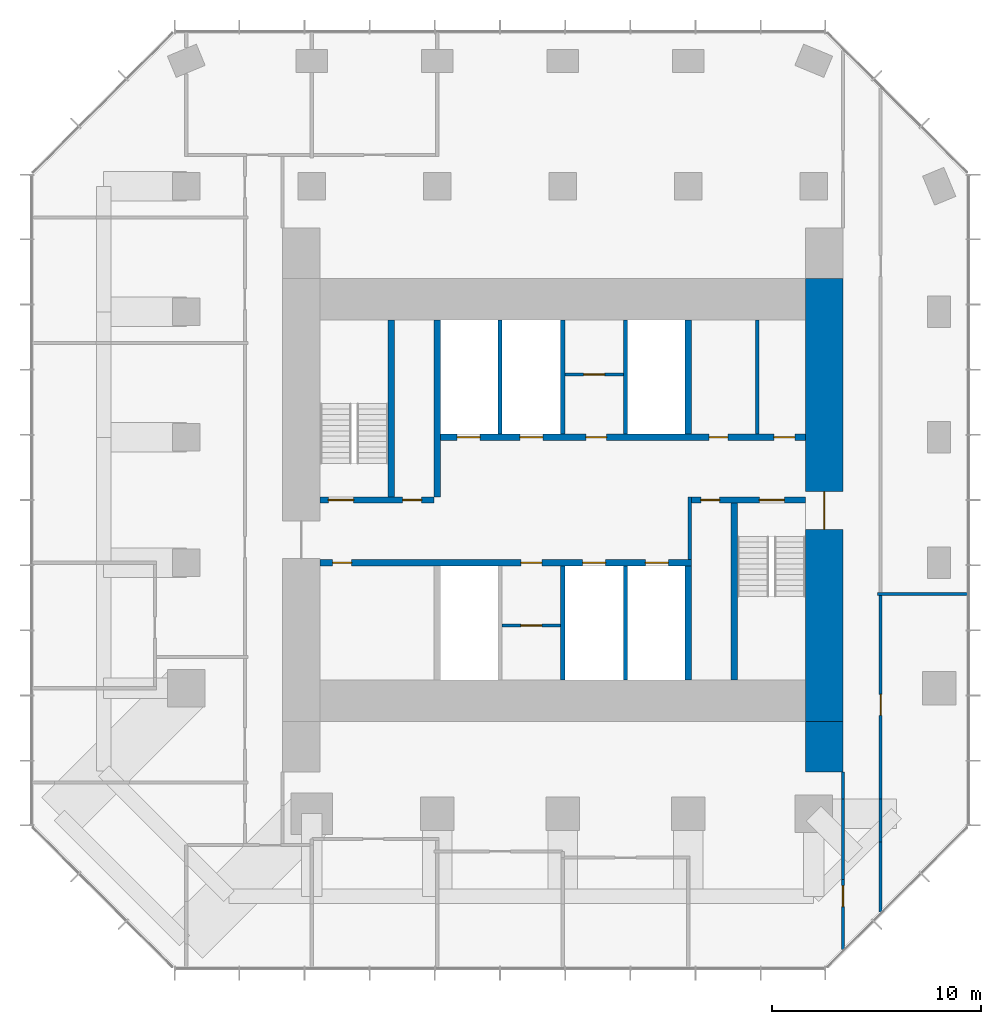
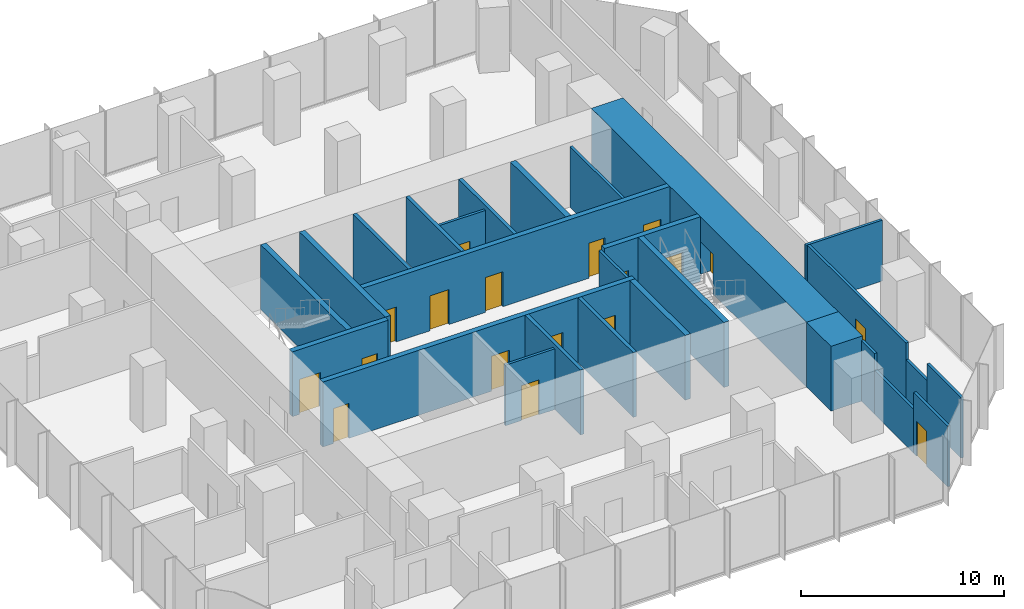
# One storey, part 9 of 11: 27 walls, 18 doors, 18 openings.
"""IFC4 building model written with IfcOpenShell, lengths in metres."""

from ifc_helpers import new_model, si_unit, direction, frame, frame_2d, origin, place, context, subcontext, project, spatial, rectangle, extrude, material, layer, layer_set, type_object, element, fill, save


model = new_model("IFC4")

# Units and contexts
model_context = context("Model", 3, precision=1e-05, world=origin(), true_north=direction((0.0, 1.0)))
body_context = subcontext(model_context, "Body", "Model", "MODEL_VIEW")
ifc_project = project(units=[si_unit("LENGTHUNIT", "METRE"), si_unit("AREAUNIT", "SQUARE_METRE"), si_unit("VOLUMEUNIT", "CUBIC_METRE"), si_unit("PLANEANGLEUNIT", "RADIAN"), si_unit("MASSUNIT", "GRAM", prefix="KILO")], contexts=[model_context])

# Site, building, storey
site_placement = place(None, origin())
site = spatial("IfcSite", under=ifc_project, at=site_placement, CompositionType="ELEMENT")
building_placement = place(site_placement, origin())
building = spatial("IfcBuilding", under=site, at=building_placement, Name="Highveld Stack Headquarters", CompositionType="ELEMENT")
storey_placement = place(building_placement, frame((0.0, 0.0, 224.0)))
storey = spatial("IfcBuildingStorey", under=building, at=storey_placement, Name="L55", CompositionType="ELEMENT", Elevation=224.0)

# Wall, opening, door
ifc_material_1 = material(Name="Concrete C60/75", Category="concrete")
ifc_layer_1 = layer(ifc_material_1, 1.800048828125)
ifc_layer_set_1 = layer_set([ifc_layer_1], Name="Concrete C60/75")
wall_type_1 = type_object("IfcWallType", Name="CORE WALL 1800 C60/75", PredefinedType="SHEAR", material=ifc_layer_set_1)
wall_1_placement = place(storey_placement, frame((18.5, -7.60009765625, 0.0), z_axis=(0.0, 0.0, 1.0), x_axis=(0.0, 1.0, 0.0)))
wall_1 = element("IfcWall", 1, at=wall_1_placement, inside=storey, type_object=wall_type_1, Name="Core wall E L55", PredefinedType="SHEAR", context=body_context, shape_type="SweptSolid", body=[
    extrude(rectangle(XDim=21.2001953125, YDim=1.800048828125, at=frame_2d((10.60009765625, 0.0))), origin(), (0.0, 0.0, 1.0), 3.89990234375),
])
opening_1_placement = place(wall_1_placement, frame((9.199951171875, 0.0, 0.0)))
opening_1 = element("IfcOpeningElement", 2, at=opening_1_placement, cuts=wall_1, Name="Opening L55-02", PredefinedType="OPENING", context=body_context, shape_type="SweptSolid", body=[
    extrude(rectangle(XDim=1.800048828125, YDim=2.39990234375, at=frame_2d((0.89990234375, 1.199951171875))), frame((0.0, 0.909912109375, 0.0), z_axis=(0.0, -1.0, 0.0), x_axis=(1.0, 0.0, 0.0)), (0.0, 0.0, 1.0), 1.820068359375),
])
ifc_material_2 = material(Name="Steel fire door", Category="steel")
door_type_1 = type_object("IfcDoorType", Name="LOBBY FIRE DOOR D4 1800x2400", OperationType="DOUBLE_DOOR_SINGLE_SWING", PredefinedType="DOOR", material=ifc_material_2)
door_1_placement = place(opening_1_placement, origin())
door_1 = element("IfcDoor", 3, at=door_1_placement, inside=storey, type_object=door_type_1, Name="Core east door L55", OperationType="DOUBLE_DOOR_SINGLE_SWING", OverallHeight=2.39990234375, OverallWidth=1.800048828125, PredefinedType="DOOR", context=body_context, shape_type="SweptSolid", body=[
    extrude(rectangle(XDim=1.800048828125, YDim=2.39990234375, at=frame_2d((0.89990234375, 1.199951171875))), frame((0.0, 0.02490234375, 0.0), z_axis=(0.0, -1.0, 0.0), x_axis=(1.0, 0.0, 0.0)), (0.0, 0.0, 1.0), 0.050048828125),
])
fill(opening_1, door_1)

# Wall, openings, doors
ifc_material_3 = material(Name="Concrete C60/75", Category="concrete")
ifc_layer_2 = layer(ifc_material_3, 0.300048828125)
ifc_layer_set_2 = layer_set([ifc_layer_2], Name="Concrete C60/75")
wall_type_2 = type_object("IfcWallType", Name="CORE WALL 300 C60/75", PredefinedType="SHEAR", material=ifc_layer_set_2)
wall_2_placement = place(storey_placement, frame((-5.60009765625, 0.0, 0.0), z_axis=(0.0, 0.0, 1.0), x_axis=(1.0, 0.0, 0.0)))
wall_2 = element("IfcWall", 4, at=wall_2_placement, inside=storey, type_object=wall_type_2, Name="Core wall I-Y0 L55", PredefinedType="SHEAR", context=body_context, shape_type="SweptSolid", body=[
    extrude(rectangle(XDim=17.75, YDim=0.300048828125, at=frame_2d((8.875, 0.0))), origin(), (0.0, 0.0, 1.0), 3.89990234375),
])
opening_2_placement = place(wall_2_placement, frame((0.60009765625, 0.0, 0.0)))
opening_2 = element("IfcOpeningElement", 5, at=opening_2_placement, cuts=wall_2, Name="Opening L55-07", PredefinedType="OPENING", context=body_context, shape_type="SweptSolid", body=[
    extrude(rectangle(XDim=0.89990234375, YDim=2.10009765625, at=frame_2d((0.449951171875, 1.050048828125))), frame((0.0, 0.159912109375, 0.0), z_axis=(0.0, -1.0, 0.0), x_axis=(1.0, 0.0, 0.0)), (0.0, 0.0, 1.0), 0.320068359375),
])
opening_3_placement = place(wall_2_placement, frame((9.60009765625, 0.0, 0.0)))
opening_3 = element("IfcOpeningElement", 6, at=opening_3_placement, cuts=wall_2, Name="Opening L55-13", PredefinedType="OPENING", context=body_context, shape_type="SweptSolid", body=[
    extrude(rectangle(XDim=1.0, YDim=2.10009765625, at=frame_2d((0.5, 1.050048828125))), frame((0.0, 0.159912109375, 0.0), z_axis=(0.0, -1.0, 0.0), x_axis=(1.0, 0.0, 0.0)), (0.0, 0.0, 1.0), 0.320068359375),
])
opening_4_placement = place(wall_2_placement, frame((12.550048828125, 0.0, 0.0)))
opening_4 = element("IfcOpeningElement", 7, at=opening_4_placement, cuts=wall_2, Name="Opening LD", PredefinedType="OPENING", context=body_context, shape_type="SweptSolid", body=[
    extrude(rectangle(XDim=1.10009765625, YDim=2.10009765625, at=frame_2d((0.550048828125, 1.050048828125))), frame((0.0, 0.159912109375, 0.0), z_axis=(0.0, -1.0, 0.0), x_axis=(1.0, 0.0, 0.0)), (0.0, 0.0, 1.0), 0.320068359375),
])
opening_5_placement = place(wall_2_placement, frame((15.550048828125, 0.0, 0.0)))
opening_5 = element("IfcOpeningElement", 8, at=opening_5_placement, cuts=wall_2, Name="Opening LD", PredefinedType="OPENING", context=body_context, shape_type="SweptSolid", body=[
    extrude(rectangle(XDim=1.10009765625, YDim=2.10009765625, at=frame_2d((0.550048828125, 1.050048828125))), frame((0.0, 0.159912109375, 0.0), z_axis=(0.0, -1.0, 0.0), x_axis=(1.0, 0.0, 0.0)), (0.0, 0.0, 1.0), 0.320068359375),
])
ifc_material_4 = material(Name="Steel fire door", Category="steel")
door_type_2 = type_object("IfcDoorType", Name="CORE ROOM FIRE DOOR D14 1000x2100", OperationType="SINGLE_SWING_LEFT", PredefinedType="DOOR", material=ifc_material_4)
door_2_placement = place(opening_3_placement, origin())
door_2 = element("IfcDoor", 9, at=door_2_placement, inside=storey, type_object=door_type_2, Name="Capped B 1 door L55", OperationType="SINGLE_SWING_RIGHT", OverallHeight=2.10009765625, OverallWidth=1.0, PredefinedType="DOOR", context=body_context, shape_type="SweptSolid", body=[
    extrude(rectangle(XDim=1.0, YDim=2.10009765625, at=frame_2d((0.5, 1.050048828125))), frame((0.0, 0.02490234375, 0.0), z_axis=(0.0, -1.0, 0.0), x_axis=(1.0, 0.0, 0.0)), (0.0, 0.0, 1.0), 0.050048828125),
])
fill(opening_3, door_2)
ifc_material_5 = material(Name="Stainless steel lift landing door", Category="steel")
door_type_3 = type_object("IfcDoorType", Name="LIFT LANDING DOOR LD 1100x2100", OperationType="DOUBLE_DOOR_SLIDING", PredefinedType="USERDEFINED", material=ifc_material_5)
door_3_placement = place(opening_4_placement, origin())
door_3 = element("IfcDoor", 10, at=door_3_placement, inside=storey, type_object=door_type_3, Name="Lift landing door C1 L55", ObjectType="LIFT LANDING DOOR", OperationType="DOUBLE_DOOR_SLIDING", OverallHeight=2.10009765625, OverallWidth=1.10009765625, PredefinedType="USERDEFINED", context=body_context, shape_type="SweptSolid", body=[
    extrude(rectangle(XDim=1.10009765625, YDim=2.10009765625, at=frame_2d((0.550048828125, 1.050048828125))), frame((0.0, 0.02490234375, 0.0), z_axis=(0.0, -1.0, 0.0), x_axis=(1.0, 0.0, 0.0)), (0.0, 0.0, 1.0), 0.050048828125),
])
fill(opening_4, door_3)
door_4_placement = place(opening_5_placement, origin())
door_4 = element("IfcDoor", 11, at=door_4_placement, inside=storey, type_object=door_type_3, Name="Lift landing door C2 L55", ObjectType="LIFT LANDING DOOR", OperationType="DOUBLE_DOOR_SLIDING", OverallHeight=2.10009765625, OverallWidth=1.10009765625, PredefinedType="USERDEFINED", context=body_context, shape_type="SweptSolid", body=[
    extrude(rectangle(XDim=1.10009765625, YDim=2.10009765625, at=frame_2d((0.550048828125, 1.050048828125))), frame((0.0, 0.02490234375, 0.0), z_axis=(0.0, -1.0, 0.0), x_axis=(1.0, 0.0, 0.0)), (0.0, 0.0, 1.0), 0.050048828125),
])
fill(opening_5, door_4)
ifc_material_6 = material(Name="Timber door, painted", Category="wood")
door_type_4 = type_object("IfcDoorType", Name="WC DOOR D1 900x2100", OperationType="SINGLE_SWING_LEFT", PredefinedType="DOOR", material=ifc_material_6)
door_5_placement = place(opening_2_placement, origin())
door_5 = element("IfcDoor", 12, at=door_5_placement, inside=storey, type_object=door_type_4, Name="Female WC door L55", OperationType="SINGLE_SWING_LEFT", OverallHeight=2.10009765625, OverallWidth=0.89990234375, PredefinedType="DOOR", context=body_context, shape_type="SweptSolid", body=[
    extrude(rectangle(XDim=0.89990234375, YDim=2.10009765625, at=frame_2d((0.449951171875, 1.050048828125))), frame((0.0, 0.02490234375, 0.0), z_axis=(0.0, -1.0, 0.0), x_axis=(1.0, 0.0, 0.0)), (0.0, 0.0, 1.0), 0.050048828125),
])
fill(opening_2, door_5)

wall_3_placement = place(storey_placement, frame((-5.60009765625, 3.0, 0.0), z_axis=(0.0, 0.0, 1.0), x_axis=(1.0, 0.0, 0.0)))
wall_3 = element("IfcWall", 13, at=wall_3_placement, inside=storey, type_object=wall_type_2, Name="Core wall I-Y3W L55", PredefinedType="SHEAR", context=body_context, shape_type="SweptSolid", body=[
    extrude(rectangle(XDim=5.4501953125, YDim=0.300048828125, at=frame_2d((2.72509765625, 0.0))), origin(), (0.0, 0.0, 1.0), 3.89990234375),
])
opening_6_placement = place(wall_3_placement, frame((0.39990234375, 0.0, 0.0)))
opening_6 = element("IfcOpeningElement", 14, at=opening_6_placement, cuts=wall_3, Name="Opening L55-03", PredefinedType="OPENING", context=body_context, shape_type="SweptSolid", body=[
    extrude(rectangle(XDim=1.199951171875, YDim=2.10009765625, at=frame_2d((0.60009765625, 1.050048828125))), frame((0.0, 0.159912109375, 0.0), z_axis=(0.0, -1.0, 0.0), x_axis=(1.0, 0.0, 0.0)), (0.0, 0.0, 1.0), 0.320068359375),
])
opening_7_placement = place(wall_3_placement, frame((3.949951171875, 0.0, 0.0)))
opening_7 = element("IfcOpeningElement", 15, at=opening_7_placement, cuts=wall_3, Name="Opening L55-04", PredefinedType="OPENING", context=body_context, shape_type="SweptSolid", body=[
    extrude(rectangle(XDim=0.89990234375, YDim=2.10009765625, at=frame_2d((0.449951171875, 1.050048828125))), frame((0.0, 0.159912109375, 0.0), z_axis=(0.0, -1.0, 0.0), x_axis=(1.0, 0.0, 0.0)), (0.0, 0.0, 1.0), 0.320068359375),
])
ifc_material_7 = material(Name="Steel fire door", Category="steel")
door_type_5 = type_object("IfcDoorType", Name="RISER ACCESS DOOR D5 900x2100", OperationType="SINGLE_SWING_LEFT", PredefinedType="DOOR", material=ifc_material_7)
door_6_placement = place(opening_7_placement, origin())
door_6 = element("IfcDoor", 16, at=door_6_placement, inside=storey, type_object=door_type_5, Name="Riser R1 door L55", OperationType="SINGLE_SWING_RIGHT", OverallHeight=2.10009765625, OverallWidth=0.89990234375, PredefinedType="DOOR", context=body_context, shape_type="SweptSolid", body=[
    extrude(rectangle(XDim=0.89990234375, YDim=2.10009765625, at=frame_2d((0.449951171875, 1.050048828125))), frame((0.0, 0.02490234375, 0.0), z_axis=(0.0, -1.0, 0.0), x_axis=(1.0, 0.0, 0.0)), (0.0, 0.0, 1.0), 0.050048828125),
])
fill(opening_7, door_6)
ifc_material_8 = material(Name="Steel fire door", Category="steel")
door_type_6 = type_object("IfcDoorType", Name="STAIR FIRE DOOR D3 1200x2100", OperationType="SINGLE_SWING_LEFT", PredefinedType="DOOR", material=ifc_material_8)
door_7_placement = place(opening_6_placement, origin())
door_7 = element("IfcDoor", 17, at=door_7_placement, inside=storey, type_object=door_type_6, Name="Stair S1 door L55", OperationType="SINGLE_SWING_LEFT", OverallHeight=2.10009765625, OverallWidth=1.199951171875, PredefinedType="DOOR", context=body_context, shape_type="SweptSolid", body=[
    extrude(rectangle(XDim=1.199951171875, YDim=2.10009765625, at=frame_2d((0.60009765625, 1.050048828125))), frame((0.0, 0.02490234375, 0.0), z_axis=(0.0, -1.0, 0.0), x_axis=(1.0, 0.0, 0.0)), (0.0, 0.0, 1.0), 0.050048828125),
])
fill(opening_6, door_7)

wall_4_placement = place(storey_placement, frame((12.14990234375, 3.0, 0.0), z_axis=(0.0, 0.0, 1.0), x_axis=(1.0, 0.0, 0.0)))
wall_4 = element("IfcWall", 18, at=wall_4_placement, inside=storey, type_object=wall_type_2, Name="Core wall I-Y3E L55", PredefinedType="SHEAR", context=body_context, shape_type="SweptSolid", body=[
    extrude(rectangle(XDim=5.4501953125, YDim=0.300048828125, at=frame_2d((2.72509765625, 0.0))), origin(), (0.0, 0.0, 1.0), 3.89990234375),
])
opening_8_placement = place(wall_4_placement, frame((3.25, 0.0, 0.0)))
opening_8 = element("IfcOpeningElement", 19, at=opening_8_placement, cuts=wall_4, Name="Opening L55-05", PredefinedType="OPENING", context=body_context, shape_type="SweptSolid", body=[
    extrude(rectangle(XDim=1.199951171875, YDim=2.10009765625, at=frame_2d((0.60009765625, 1.050048828125))), frame((0.0, 0.159912109375, 0.0), z_axis=(0.0, -1.0, 0.0), x_axis=(1.0, 0.0, 0.0)), (0.0, 0.0, 1.0), 0.320068359375),
])
opening_9_placement = place(wall_4_placement, frame((0.449951171875, 0.0, 0.0)))
opening_9 = element("IfcOpeningElement", 20, at=opening_9_placement, cuts=wall_4, Name="Opening L55-06", PredefinedType="OPENING", context=body_context, shape_type="SweptSolid", body=[
    extrude(rectangle(XDim=0.89990234375, YDim=2.10009765625, at=frame_2d((0.449951171875, 1.050048828125))), frame((0.0, 0.159912109375, 0.0), z_axis=(0.0, -1.0, 0.0), x_axis=(1.0, 0.0, 0.0)), (0.0, 0.0, 1.0), 0.320068359375),
])
door_8_placement = place(opening_9_placement, origin())
door_8 = element("IfcDoor", 21, at=door_8_placement, inside=storey, type_object=door_type_5, Name="Riser R2 door L55", OperationType="SINGLE_SWING_LEFT", OverallHeight=2.10009765625, OverallWidth=0.89990234375, PredefinedType="DOOR", context=body_context, shape_type="SweptSolid", body=[
    extrude(rectangle(XDim=0.89990234375, YDim=2.10009765625, at=frame_2d((0.449951171875, 1.050048828125))), frame((0.0, 0.02490234375, 0.0), z_axis=(0.0, -1.0, 0.0), x_axis=(1.0, 0.0, 0.0)), (0.0, 0.0, 1.0), 0.050048828125),
])
fill(opening_9, door_8)
door_9_placement = place(opening_8_placement, origin())
door_9 = element("IfcDoor", 22, at=door_9_placement, inside=storey, type_object=door_type_6, Name="Stair S2 door L55", OperationType="SINGLE_SWING_RIGHT", OverallHeight=2.10009765625, OverallWidth=1.199951171875, PredefinedType="DOOR", context=body_context, shape_type="SweptSolid", body=[
    extrude(rectangle(XDim=1.199951171875, YDim=2.10009765625, at=frame_2d((0.60009765625, 1.050048828125))), frame((0.0, 0.02490234375, 0.0), z_axis=(0.0, -1.0, 0.0), x_axis=(1.0, 0.0, 0.0)), (0.0, 0.0, 1.0), 0.050048828125),
])
fill(opening_8, door_9)

wall_5_placement = place(storey_placement, frame((-0.14990234375, 6.0, 0.0), z_axis=(0.0, 0.0, 1.0), x_axis=(1.0, 0.0, 0.0)))
wall_5 = element("IfcWall", 23, at=wall_5_placement, inside=storey, type_object=wall_type_2, Name="Core wall I-Y6 L55", PredefinedType="SHEAR", context=body_context, shape_type="SweptSolid", body=[
    extrude(rectangle(XDim=17.75, YDim=0.300048828125, at=frame_2d((8.875, 0.0))), origin(), (0.0, 0.0, 1.0), 3.89990234375),
])
opening_10_placement = place(wall_5_placement, frame((13.14990234375, 0.0, 0.0)))
opening_10 = element("IfcOpeningElement", 24, at=opening_10_placement, cuts=wall_5, Name="Opening L55-08", PredefinedType="OPENING", context=body_context, shape_type="SweptSolid", body=[
    extrude(rectangle(XDim=0.89990234375, YDim=2.10009765625, at=frame_2d((0.449951171875, 1.050048828125))), frame((0.0, 0.159912109375, 0.0), z_axis=(0.0, -1.0, 0.0), x_axis=(1.0, 0.0, 0.0)), (0.0, 0.0, 1.0), 0.320068359375),
])
opening_11_placement = place(wall_5_placement, frame((16.25, 0.0, 0.0)))
opening_11 = element("IfcOpeningElement", 25, at=opening_11_placement, cuts=wall_5, Name="Opening L55-09", PredefinedType="OPENING", context=body_context, shape_type="SweptSolid", body=[
    extrude(rectangle(XDim=1.0, YDim=2.10009765625, at=frame_2d((0.5, 1.050048828125))), frame((0.0, 0.159912109375, 0.0), z_axis=(0.0, -1.0, 0.0), x_axis=(1.0, 0.0, 0.0)), (0.0, 0.0, 1.0), 0.320068359375),
])
opening_12_placement = place(wall_5_placement, frame((7.25, 0.0, 0.0)))
opening_12 = element("IfcOpeningElement", 26, at=opening_12_placement, cuts=wall_5, Name="Opening L55-11", PredefinedType="OPENING", context=body_context, shape_type="SweptSolid", body=[
    extrude(rectangle(XDim=1.0, YDim=2.10009765625, at=frame_2d((0.5, 1.050048828125))), frame((0.0, 0.159912109375, 0.0), z_axis=(0.0, -1.0, 0.0), x_axis=(1.0, 0.0, 0.0)), (0.0, 0.0, 1.0), 0.320068359375),
])
opening_13_placement = place(wall_5_placement, frame((1.10009765625, 0.0, 0.0)))
opening_13 = element("IfcOpeningElement", 27, at=opening_13_placement, cuts=wall_5, Name="Opening LD", PredefinedType="OPENING", context=body_context, shape_type="SweptSolid", body=[
    extrude(rectangle(XDim=1.10009765625, YDim=2.10009765625, at=frame_2d((0.550048828125, 1.050048828125))), frame((0.0, 0.159912109375, 0.0), z_axis=(0.0, -1.0, 0.0), x_axis=(1.0, 0.0, 0.0)), (0.0, 0.0, 1.0), 0.320068359375),
])
opening_14_placement = place(wall_5_placement, frame((4.10009765625, 0.0, 0.0)))
opening_14 = element("IfcOpeningElement", 28, at=opening_14_placement, cuts=wall_5, Name="Opening LD", PredefinedType="OPENING", context=body_context, shape_type="SweptSolid", body=[
    extrude(rectangle(XDim=1.10009765625, YDim=2.10009765625, at=frame_2d((0.550048828125, 1.050048828125))), frame((0.0, 0.159912109375, 0.0), z_axis=(0.0, -1.0, 0.0), x_axis=(1.0, 0.0, 0.0)), (0.0, 0.0, 1.0), 0.320068359375),
])
ifc_material_9 = material(Name="Timber door, painted", Category="wood")
door_type_7 = type_object("IfcDoorType", Name="ACCESSIBLE WC DOOR D2 1000x2100", OperationType="SINGLE_SWING_RIGHT", PredefinedType="DOOR", material=ifc_material_9)
door_10_placement = place(opening_11_placement, origin())
door_10 = element("IfcDoor", 29, at=door_10_placement, inside=storey, type_object=door_type_7, Name="Accessible WC door L55", OperationType="SINGLE_SWING_RIGHT", OverallHeight=2.10009765625, OverallWidth=1.0, PredefinedType="DOOR", context=body_context, shape_type="SweptSolid", body=[
    extrude(rectangle(XDim=1.0, YDim=2.10009765625, at=frame_2d((0.5, 1.050048828125))), frame((0.0, 0.02490234375, 0.0), z_axis=(0.0, -1.0, 0.0), x_axis=(1.0, 0.0, 0.0)), (0.0, 0.0, 1.0), 0.050048828125),
])
fill(opening_11, door_10)
door_11_placement = place(opening_12_placement, origin())
door_11 = element("IfcDoor", 30, at=door_11_placement, inside=storey, type_object=door_type_2, Name="Capped A 1 door L55", OperationType="SINGLE_SWING_LEFT", OverallHeight=2.10009765625, OverallWidth=1.0, PredefinedType="DOOR", context=body_context, shape_type="SweptSolid", body=[
    extrude(rectangle(XDim=1.0, YDim=2.10009765625, at=frame_2d((0.5, 1.050048828125))), frame((0.0, 0.02490234375, 0.0), z_axis=(0.0, -1.0, 0.0), x_axis=(1.0, 0.0, 0.0)), (0.0, 0.0, 1.0), 0.050048828125),
])
fill(opening_12, door_11)
door_12_placement = place(opening_13_placement, origin())
door_12 = element("IfcDoor", 31, at=door_12_placement, inside=storey, type_object=door_type_3, Name="Lift landing door FF1 L55", ObjectType="LIFT LANDING DOOR", OperationType="DOUBLE_DOOR_SLIDING", OverallHeight=2.10009765625, OverallWidth=1.10009765625, PredefinedType="USERDEFINED", context=body_context, shape_type="SweptSolid", body=[
    extrude(rectangle(XDim=1.10009765625, YDim=2.10009765625, at=frame_2d((0.550048828125, 1.050048828125))), frame((0.0, 0.02490234375, 0.0), z_axis=(0.0, -1.0, 0.0), x_axis=(1.0, 0.0, 0.0)), (0.0, 0.0, 1.0), 0.050048828125),
])
fill(opening_13, door_12)
door_13_placement = place(opening_14_placement, origin())
door_13 = element("IfcDoor", 32, at=door_13_placement, inside=storey, type_object=door_type_3, Name="Lift landing door FF2 L55", ObjectType="LIFT LANDING DOOR", OperationType="DOUBLE_DOOR_SLIDING", OverallHeight=2.10009765625, OverallWidth=1.10009765625, PredefinedType="USERDEFINED", context=body_context, shape_type="SweptSolid", body=[
    extrude(rectangle(XDim=1.10009765625, YDim=2.10009765625, at=frame_2d((0.550048828125, 1.050048828125))), frame((0.0, 0.02490234375, 0.0), z_axis=(0.0, -1.0, 0.0), x_axis=(1.0, 0.0, 0.0)), (0.0, 0.0, 1.0), 0.050048828125),
])
fill(opening_14, door_13)
door_14_placement = place(opening_10_placement, origin())
door_14 = element("IfcDoor", 33, at=door_14_placement, inside=storey, type_object=door_type_4, Name="Male WC door L55", OperationType="SINGLE_SWING_RIGHT", OverallHeight=2.10009765625, OverallWidth=0.89990234375, PredefinedType="DOOR", context=body_context, shape_type="SweptSolid", body=[
    extrude(rectangle(XDim=0.89990234375, YDim=2.10009765625, at=frame_2d((0.449951171875, 1.050048828125))), frame((0.0, 0.02490234375, 0.0), z_axis=(0.0, -1.0, 0.0), x_axis=(1.0, 0.0, 0.0)), (0.0, 0.0, 1.0), 0.050048828125),
])
fill(opening_10, door_14)

# Walls
wall_6_placement = place(storey_placement, frame((0.0, 3.14990234375, 0.0), z_axis=(0.0, 0.0, 1.0), x_axis=(0.0, 1.0, 0.0)))
element("IfcWall", 34, at=wall_6_placement, inside=storey, type_object=wall_type_2, Name="Core wall I-X0N L55", PredefinedType="SHEAR", context=body_context, shape_type="SweptSolid", body=[
    extrude(rectangle(XDim=8.4501953125, YDim=0.300048828125, at=frame_2d((4.22509765625, 0.0))), origin(), (0.0, 0.0, 1.0), 3.89990234375),
])
for number, where, z_axis, x_axis, name in (
    (35, (12.0, -5.60009765625, 0.0), (0.0, 0.0, 1.0), (0.0, 1.0, 0.0), "Core wall I-X12S L55"),
    (36, (12.0, 6.14990234375, 0.0), (0.0, 0.0, 1.0), (0.0, 1.0, 0.0), "Core wall I-X12N L55"),
):
    element("IfcWall", number, at=place(storey_placement, frame(where, z_axis=z_axis, x_axis=x_axis)), inside=storey, type_object=wall_type_2, Name=name, PredefinedType="SHEAR", context=body_context, shape_type="SweptSolid", body=[
        extrude(rectangle(XDim=5.4501953125, YDim=0.300048828125, at=frame_2d((2.72509765625, 0.0))), origin(), (0.0, 0.0, 1.0), 3.89990234375),
    ])
for number, where, z_axis, x_axis, name in (
    (37, (-2.199951171875, 3.14990234375, 0.0), (0.0, 0.0, 1.0), (0.0, 1.0, 0.0), "Core wall I-RW L55"),
    (38, (14.199951171875, -5.60009765625, 0.0), (0.0, 0.0, 1.0), (0.0, 1.0, 0.0), "Core wall I-RE L55"),
):
    element("IfcWall", number, at=place(storey_placement, frame(where, z_axis=z_axis, x_axis=x_axis)), inside=storey, type_object=wall_type_2, Name=name, PredefinedType="SHEAR", context=body_context, shape_type="SweptSolid", body=[
        extrude(rectangle(XDim=8.4501953125, YDim=0.300048828125, at=frame_2d((4.22509765625, 0.0))), origin(), (0.0, 0.0, 1.0), 3.89990234375),
    ])
ifc_material_10 = material(Name="Concrete C60/75", Category="concrete")
ifc_layer_3 = layer(ifc_material_10, 1.800048828125)
ifc_layer_set_3 = layer_set([ifc_layer_3], Name="Concrete C60/75")
wall_type_3 = type_object("IfcWallType", Name="CORE WING WALL 1800 C60/75", PredefinedType="SHEAR", material=ifc_layer_set_3)
wall_7_placement = place(storey_placement, frame((18.5, -10.0, 0.0), z_axis=(0.0, 0.0, 1.0), x_axis=(0.0, 1.0, 0.0)))
element("IfcWall", 39, at=wall_7_placement, inside=storey, type_object=wall_type_3, Name="Core wing wall ES L55", PredefinedType="SHEAR", context=body_context, shape_type="SweptSolid", body=[
    extrude(rectangle(XDim=2.39990234375, YDim=1.800048828125, at=frame_2d((1.199951171875, 0.0))), origin(), (0.0, 0.0, 1.0), 3.89990234375),
])

# Wall, opening, door
ifc_material_11 = material(Name="Concrete blockwork, plastered", Category="masonry")
ifc_layer_4 = layer(ifc_material_11, 0.14990234375)
ifc_layer_set_4 = layer_set([ifc_layer_4], Name="Concrete blockwork, plastered")
wall_type_4 = type_object("IfcWallType", Name="FIRE PARTITION 150 BLOCKWORK", PredefinedType="PARTITIONING", material=ifc_layer_set_4)
wall_8_placement = place(storey_placement, frame((6.10009765625, 9.0, 0.0), z_axis=(0.0, 0.0, 1.0), x_axis=(1.0, 0.0, 0.0)))
wall_8 = element("IfcWall", 40, at=wall_8_placement, inside=storey, type_object=wall_type_4, Name="Core room partition L55", PredefinedType="PARTITIONING", context=body_context, shape_type="SweptSolid", body=[
    extrude(rectangle(XDim=2.7998046875, YDim=0.14990234375, at=frame_2d((1.39990234375, 0.0))), origin(), (0.0, 0.0, 1.0), 3.64990234375),
])
opening_15_placement = place(wall_8_placement, frame((0.89990234375, 0.0, 0.0)))
opening_15 = element("IfcOpeningElement", 41, at=opening_15_placement, cuts=wall_8, Name="Opening L55-10", PredefinedType="OPENING", context=body_context, shape_type="SweptSolid", body=[
    extrude(rectangle(XDim=1.0, YDim=2.10009765625, at=frame_2d((0.5, 1.050048828125))), frame((0.0, 0.0849609375, 0.0), z_axis=(0.0, -1.0, 0.0), x_axis=(1.0, 0.0, 0.0)), (0.0, 0.0, 1.0), 0.169921875),
])
door_15_placement = place(opening_15_placement, origin())
door_15 = element("IfcDoor", 42, at=door_15_placement, inside=storey, type_object=door_type_2, Name="Capped A 2 door L55", OperationType="SINGLE_SWING_LEFT", OverallHeight=2.10009765625, OverallWidth=1.0, PredefinedType="DOOR", context=body_context, shape_type="SweptSolid", body=[
    extrude(rectangle(XDim=1.0, YDim=2.10009765625, at=frame_2d((0.5, 1.050048828125))), frame((0.0, 0.02490234375, 0.0), z_axis=(0.0, -1.0, 0.0), x_axis=(1.0, 0.0, 0.0)), (0.0, 0.0, 1.0), 0.050048828125),
])
fill(opening_15, door_15)

wall_9_placement = place(storey_placement, frame((3.10009765625, -3.0, 0.0), z_axis=(0.0, 0.0, 1.0), x_axis=(1.0, 0.0, 0.0)))
wall_9 = element("IfcWall", 43, at=wall_9_placement, inside=storey, type_object=wall_type_4, Name="Core room partition L55", PredefinedType="PARTITIONING", context=body_context, shape_type="SweptSolid", body=[
    extrude(rectangle(XDim=2.7998046875, YDim=0.14990234375, at=frame_2d((1.39990234375, 0.0))), origin(), (0.0, 0.0, 1.0), 3.64990234375),
])
opening_16_placement = place(wall_9_placement, frame((0.89990234375, 0.0, 0.0)))
opening_16 = element("IfcOpeningElement", 44, at=opening_16_placement, cuts=wall_9, Name="Opening L55-12", PredefinedType="OPENING", context=body_context, shape_type="SweptSolid", body=[
    extrude(rectangle(XDim=1.0, YDim=2.10009765625, at=frame_2d((0.5, 1.050048828125))), frame((0.0, 0.0849609375, 0.0), z_axis=(0.0, -1.0, 0.0), x_axis=(1.0, 0.0, 0.0)), (0.0, 0.0, 1.0), 0.169921875),
])
door_16_placement = place(opening_16_placement, origin())
door_16 = element("IfcDoor", 45, at=door_16_placement, inside=storey, type_object=door_type_2, Name="Capped B 2 door L55", OperationType="SINGLE_SWING_LEFT", OverallHeight=2.10009765625, OverallWidth=1.0, PredefinedType="DOOR", context=body_context, shape_type="SweptSolid", body=[
    extrude(rectangle(XDim=1.0, YDim=2.10009765625, at=frame_2d((0.5, 1.050048828125))), frame((0.0, 0.02490234375, 0.0), z_axis=(0.0, -1.0, 0.0), x_axis=(1.0, 0.0, 0.0)), (0.0, 0.0, 1.0), 0.050048828125),
])
fill(opening_16, door_16)

# Walls
wall_10_placement = place(storey_placement, frame((12.074951171875, 0.14990234375, 0.0), z_axis=(0.0, 0.0, 1.0), x_axis=(0.0, 1.0, 0.0)))
element("IfcWall", 46, at=wall_10_placement, inside=storey, type_object=wall_type_4, Name="Riser R2 enclosure L55", PredefinedType="PARTITIONING", context=body_context, shape_type="SweptSolid", body=[
    extrude(rectangle(XDim=3.0, YDim=0.14990234375, at=frame_2d((1.5, 0.0))), origin(), (0.0, 0.0, 1.0), 3.64990234375),
])
ifc_material_12 = material(Name="Concrete blockwork, fair-faced", Category="masonry")
ifc_layer_5 = layer(ifc_material_12, 0.199951171875)
ifc_layer_set_5 = layer_set([ifc_layer_5], Name="Concrete blockwork, fair-faced")
wall_type_5 = type_object("IfcWallType", Name="LIFT SHAFT ENCLOSURE WALL 200 BLOCKWORK", PredefinedType="SOLIDWALL", material=ifc_layer_set_5)
for number, where, z_axis, x_axis, name in (
    (47, (3.0, 6.14990234375, 0.0), (0.0, 0.0, 1.0), (0.0, 1.0, 0.0), "Lift shaft wall L55"),
    (48, (6.0, 6.14990234375, 0.0), (0.0, 0.0, 1.0), (0.0, 1.0, 0.0), "Lift shaft wall L55"),
    (49, (9.0, 6.14990234375, 0.0), (0.0, 0.0, 1.0), (0.0, 1.0, 0.0), "Lift shaft wall L55"),
    (50, (6.0, -5.60009765625, 0.0), (0.0, 0.0, 1.0), (0.0, 1.0, 0.0), "Lift shaft wall L55"),
    (51, (9.0, -5.60009765625, 0.0), (0.0, 0.0, 1.0), (0.0, 1.0, 0.0), "Lift shaft wall L55"),
):
    element("IfcWall", number, at=place(storey_placement, frame(where, z_axis=z_axis, x_axis=x_axis)), inside=storey, type_object=wall_type_5, Name=name, PredefinedType="SOLIDWALL", context=body_context, shape_type="SweptSolid", body=[
        extrude(rectangle(XDim=5.4501953125, YDim=0.199951171875, at=frame_2d((2.72509765625, 0.0))), origin(), (0.0, 0.0, 1.0), 3.89990234375),
    ])

# Wall, opening, door
ifc_material_13 = material(Name="Gypsum plasterboard on steel studs", Category="steel")
ifc_layer_6 = layer(ifc_material_13, 0.14990234375)
ifc_layer_set_6 = layer_set([ifc_layer_6], Name="Gypsum plasterboard on steel studs")
wall_type_6 = type_object("IfcWallType", Name="PARTITION 150 PLASTERBOARD", PredefinedType="PARTITIONING", material=ifc_layer_set_6)
wall_11_placement = place(storey_placement, frame((19.39990234375, -18.489013671875, 0.0), z_axis=(0.0, 0.0, 1.0), x_axis=(0.0, 1.0, 0.0)))
wall_11 = element("IfcWall", 52, at=wall_11_placement, inside=storey, type_object=wall_type_6, Name="Partition office neighbourhood L55", PredefinedType="PARTITIONING", context=body_context, shape_type="SweptSolid", body=[
    extrude(rectangle(XDim=3.34912109375, YDim=0.14990234375, at=frame_2d((1.674560546875, 0.0))), origin(), (0.0, 0.0, 1.0), 3.64990234375),
])
opening_17_placement = place(wall_11_placement, frame((2.049072265625, 0.0, 0.0)))
opening_17 = element("IfcOpeningElement", 53, at=opening_17_placement, cuts=wall_11, Name="Opening L55-22", PredefinedType="OPENING", context=body_context, shape_type="SweptSolid", body=[
    extrude(rectangle(XDim=1.0, YDim=2.10009765625, at=frame_2d((0.5, 1.050048828125))), frame((0.0, 0.0849609375, 0.0), z_axis=(0.0, -1.0, 0.0), x_axis=(1.0, 0.0, 0.0)), (0.0, 0.0, 1.0), 0.169921875),
])
ifc_material_14 = material(Name="Timber door, oiled ash", Category="wood")
door_type_8 = type_object("IfcDoorType", Name="ROOM DOOR D6 1000x2100", OperationType="SINGLE_SWING_LEFT", PredefinedType="DOOR", material=ifc_material_14)
door_17_placement = place(opening_17_placement, origin())
door_17 = element("IfcDoor", 54, at=door_17_placement, inside=storey, type_object=door_type_8, Name="Office neighbourhood door L55", OperationType="SINGLE_SWING_RIGHT", OverallHeight=2.10009765625, OverallWidth=1.0, PredefinedType="DOOR", context=body_context, shape_type="SweptSolid", body=[
    extrude(rectangle(XDim=1.0, YDim=2.10009765625, at=frame_2d((0.5, 1.050048828125))), frame((0.0, 0.02490234375, 0.0), z_axis=(0.0, -1.0, 0.0), x_axis=(1.0, 0.0, 0.0)), (0.0, 0.0, 1.0), 0.050048828125),
])
fill(opening_17, door_17)

# Walls
wall_12_placement = place(storey_placement, frame((19.39990234375, -15.139892578125, 0.0), z_axis=(0.0, 0.0, 1.0), x_axis=(0.0, 1.0, 0.0)))
element("IfcWall", 55, at=wall_12_placement, inside=storey, type_object=wall_type_6, Name="Partition office neighbourhood L55", PredefinedType="PARTITIONING", context=body_context, shape_type="SweptSolid", body=[
    extrude(rectangle(XDim=3.849853515625, YDim=0.14990234375, at=frame_2d((1.9248046875, 0.0))), origin(), (0.0, 0.0, 1.0), 2.64990234375),
])
wall_13_placement = place(storey_placement, frame((19.39990234375, -11.2900390625, 0.0), z_axis=(0.0, 0.0, 1.0), x_axis=(0.0, 1.0, 0.0)))
element("IfcWall", 56, at=wall_13_placement, inside=storey, type_object=wall_type_6, Name="Partition office neighbourhood L55", PredefinedType="PARTITIONING", context=body_context, shape_type="SweptSolid", body=[
    extrude(rectangle(XDim=1.2900390625, YDim=0.14990234375, at=frame_2d((0.64501953125, 0.0))), origin(), (0.0, 0.0, 1.0), 3.64990234375),
])
wall_14_placement = place(storey_placement, frame((21.199951171875, -16.68896484375, 0.0), z_axis=(0.0, 0.0, 1.0), x_axis=(0.0, 1.0, 0.0)))
element("IfcWall", 57, at=wall_14_placement, inside=storey, type_object=wall_type_6, Name="Partition office neighbourhood L55", PredefinedType="PARTITIONING", context=body_context, shape_type="SweptSolid", body=[
    extrude(rectangle(XDim=3.348876953125, YDim=0.14990234375, at=frame_2d((1.67431640625, 0.0))), origin(), (0.0, 0.0, 1.0), 3.64990234375),
])
wall_15_placement = place(storey_placement, frame((21.199951171875, -13.340087890625, 0.0), z_axis=(0.0, 0.0, 1.0), x_axis=(0.0, 1.0, 0.0)))
element("IfcWall", 58, at=wall_15_placement, inside=storey, type_object=wall_type_6, Name="Partition office neighbourhood L55", PredefinedType="PARTITIONING", context=body_context, shape_type="SweptSolid", body=[
    extrude(rectangle(XDim=2.050048828125, YDim=0.14990234375, at=frame_2d((1.02490234375, 0.0))), origin(), (0.0, 0.0, 1.0), 2.64990234375),
])

# Wall, opening, door
wall_16_placement = place(storey_placement, frame((21.199951171875, -11.2900390625, 0.0), z_axis=(0.0, 0.0, 1.0), x_axis=(0.0, 1.0, 0.0)))
wall_16 = element("IfcWall", 59, at=wall_16_placement, inside=storey, type_object=wall_type_6, Name="Partition office neighbourhood L55", PredefinedType="PARTITIONING", context=body_context, shape_type="SweptSolid", body=[
    extrude(rectangle(XDim=9.715087890625, YDim=0.14990234375, at=frame_2d((4.857421875, 0.0))), origin(), (0.0, 0.0, 1.0), 3.64990234375),
])
opening_18_placement = place(wall_16_placement, frame((3.990966796875, 0.0, 0.0)))
opening_18 = element("IfcOpeningElement", 60, at=opening_18_placement, cuts=wall_16, Name="Opening L55-23", PredefinedType="OPENING", context=body_context, shape_type="SweptSolid", body=[
    extrude(rectangle(XDim=1.0, YDim=2.10009765625, at=frame_2d((0.5, 1.050048828125))), frame((0.0, 0.0849609375, 0.0), z_axis=(0.0, -1.0, 0.0), x_axis=(1.0, 0.0, 0.0)), (0.0, 0.0, 1.0), 0.169921875),
])
door_18_placement = place(opening_18_placement, origin())
door_18 = element("IfcDoor", 61, at=door_18_placement, inside=storey, type_object=door_type_8, Name="Office neighbourhood door L55", OperationType="SINGLE_SWING_LEFT", OverallHeight=2.10009765625, OverallWidth=1.0, PredefinedType="DOOR", context=body_context, shape_type="SweptSolid", body=[
    extrude(rectangle(XDim=1.0, YDim=2.10009765625, at=frame_2d((0.5, 1.050048828125))), frame((0.0, 0.02490234375, 0.0), z_axis=(0.0, -1.0, 0.0), x_axis=(1.0, 0.0, 0.0)), (0.0, 0.0, 1.0), 0.050048828125),
])
fill(opening_18, door_18)

# Walls
wall_17_placement = place(storey_placement, frame((21.050048828125, -1.5, 0.0), z_axis=(0.0, 0.0, 1.0), x_axis=(1.0, 0.0, 0.0)))
element("IfcWall", 62, at=wall_17_placement, inside=storey, type_object=wall_type_6, Name="Partition office neighbourhood L55", PredefinedType="PARTITIONING", context=body_context, shape_type="SweptSolid", body=[
    extrude(rectangle(XDim=4.349853515625, YDim=0.14990234375, at=frame_2d((2.1748046875, 0.0))), origin(), (0.0, 0.0, 1.0), 3.64990234375),
])
ifc_material_15 = material(Name="Concrete blockwork, tiled", Category="masonry")
ifc_layer_7 = layer(ifc_material_15, 0.14990234375)
ifc_layer_set_7 = layer_set([ifc_layer_7], Name="Concrete blockwork, tiled")
wall_type_7 = type_object("IfcWallType", Name="WC PARTITION 150", PredefinedType="PLUMBINGWALL", material=ifc_layer_set_7)
wall_18_placement = place(storey_placement, frame((15.300048828125, 6.14990234375, 0.0), z_axis=(0.0, 0.0, 1.0), x_axis=(0.0, 1.0, 0.0)))
element("IfcWall", 63, at=wall_18_placement, inside=storey, type_object=wall_type_7, Name="Toilet partition L55", PredefinedType="PLUMBINGWALL", context=body_context, shape_type="SweptSolid", body=[
    extrude(rectangle(XDim=5.4501953125, YDim=0.14990234375, at=frame_2d((2.72509765625, 0.0))), origin(), (0.0, 0.0, 1.0), 3.64990234375),
])

save(model, "model.ifc")
